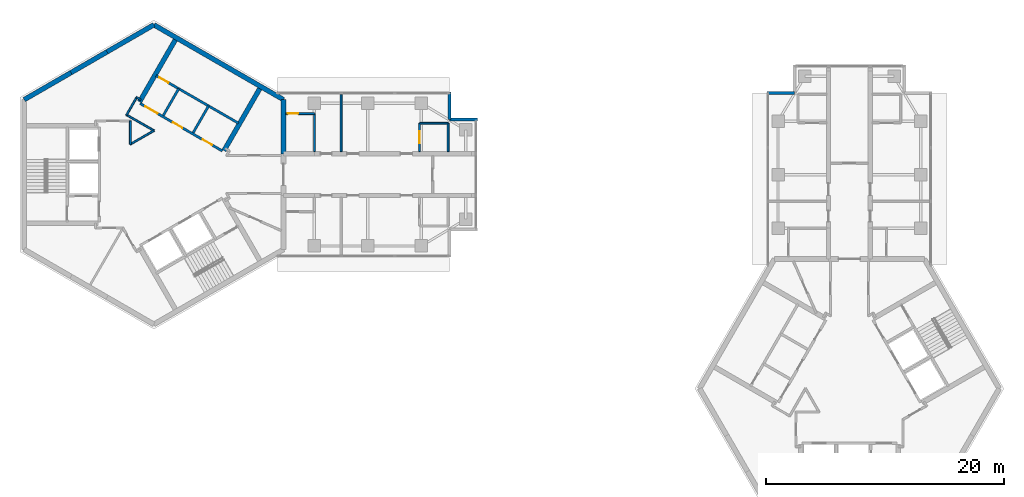
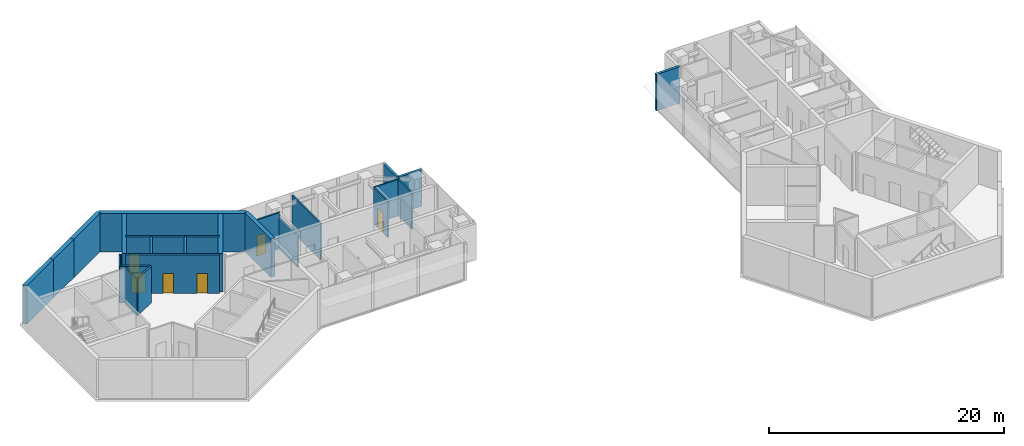
# One storey, part 7 of 11: 25 walls, 6 doors, 6 openings.
"""IFC4 building model written with IfcOpenShell, lengths in metres."""

from ifc_helpers import new_model, si_unit, direction, frame, frame_2d, origin, place, context, subcontext, project, spatial, rectangle, extrude, material, layer, layer_set, type_object, element, fill, save


model = new_model("IFC4")

# Units and contexts
model_context = context("Model", 3, precision=1e-05, world=origin(), true_north=direction((0.0, 1.0)))
body_context = subcontext(model_context, "Body", "Model", "MODEL_VIEW")
ifc_project = project(units=[si_unit("LENGTHUNIT", "METRE"), si_unit("AREAUNIT", "SQUARE_METRE"), si_unit("VOLUMEUNIT", "CUBIC_METRE"), si_unit("PLANEANGLEUNIT", "RADIAN"), si_unit("MASSUNIT", "GRAM", prefix="KILO")], contexts=[model_context])

# Site, building, storey
site_placement = place(None, origin())
site = spatial("IfcSite", under=ifc_project, at=site_placement, CompositionType="ELEMENT")
building_placement = place(site_placement, origin())
building = spatial("IfcBuilding", under=site, at=building_placement, Name="Upepo Twin Towers", CompositionType="ELEMENT")
storey_placement = place(building_placement, frame((0.0, 0.0, 251.5)))
storey = spatial("IfcBuildingStorey", under=building, at=storey_placement, Name="L61", CompositionType="ELEMENT", Elevation=251.5)

# Walls
ifc_material_1 = material(Name="Concrete C60/75", Category="concrete")
ifc_layer_1 = layer(ifc_material_1, 0.39990234375)
ifc_layer_set_1 = layer_set([ifc_layer_1], Name="Concrete C60/75")
wall_type_1 = type_object("IfcWallType", Name="Core wall 400 RC", PredefinedType="SHEAR", material=ifc_layer_set_1)
wall_1_placement = place(storey_placement, frame((10.908447265625, 1.75, 0.0), z_axis=(0.0, 0.0, 1.0), x_axis=(0.0, 1.0, 0.0)))
element("IfcWall", 1, at=wall_1_placement, inside=storey, type_object=wall_type_1, Name="T1 core wall 000 L", PredefinedType="SHEAR", context=body_context, shape_type="SweptSolid", body=[
    extrude(rectangle(XDim=4.5478515625, YDim=0.39990234375, at=frame_2d((2.27392578125, 0.0))), origin(), (0.0, 0.0, 1.0), 4.0),
])
wall_2_placement = place(storey_placement, frame((10.908447265625, 6.2978515625, 0.0), z_axis=(0.0, 0.0, 1.0), x_axis=(-0.866021940709, 0.500005998175, 0.0)))
element("IfcWall", 2, at=wall_2_placement, inside=storey, type_object=wall_type_1, Name="T1 core wall 060", PredefinedType="SHEAR", context=body_context, shape_type="SweptSolid", body=[
    extrude(rectangle(XDim=12.595947265625, YDim=0.39990234375, at=frame_2d((6.2978515625, 0.0))), origin(), (0.0, 0.0, 1.0), 4.0),
])
wall_3_placement = place(storey_placement, frame((0.0, 12.595947265625, 0.0), z_axis=(0.0, 0.0, 1.0), x_axis=(-0.866011268655, -0.500024481964, 0.0)))
element("IfcWall", 3, at=wall_3_placement, inside=storey, type_object=wall_type_1, Name="T1 core wall 120 R", PredefinedType="SHEAR", context=body_context, shape_type="SweptSolid", body=[
    extrude(rectangle(XDim=4.548095703125, YDim=0.39990234375, at=frame_2d((2.27392578125, 0.0))), origin(), (0.0, 0.0, 1.0), 4.0),
])
wall_4_placement = place(storey_placement, frame((-3.938720703125, 10.32177734375, 0.0), z_axis=(0.0, 0.0, 1.0), x_axis=(-0.866019471182, -0.500010275428, 0.0)))
element("IfcWall", 4, at=wall_4_placement, inside=storey, type_object=wall_type_1, Name="T1 core wall 120", PredefinedType="SHEAR", context=body_context, shape_type="SweptSolid", body=[
    extrude(rectangle(XDim=3.5, YDim=0.39990234375, at=frame_2d((1.75, 0.0))), origin(), (0.0, 0.0, 1.0), 4.0),
])
wall_5_placement = place(storey_placement, frame((-6.9697265625, 8.57177734375, 0.0), z_axis=(0.0, 0.0, 1.0), x_axis=(-0.866034513004, -0.499984222037, 0.0)))
element("IfcWall", 5, at=wall_5_placement, inside=storey, type_object=wall_type_1, Name="T1 core wall 120 L", PredefinedType="SHEAR", context=body_context, shape_type="SweptSolid", body=[
    extrude(rectangle(XDim=4.548095703125, YDim=0.39990234375, at=frame_2d((2.27392578125, 0.0))), origin(), (0.0, 0.0, 1.0), 4.0),
])
ifc_material_2 = material(Name="Blockwork with anodised aluminium cladding", Category="masonry")
ifc_layer_2 = layer(ifc_material_2, 0.25)
ifc_layer_set_2 = layer_set([ifc_layer_2], Name="Notch cladding wall 250, pale metal")
wall_type_2 = type_object("IfcWallType", Name="Notch cladding wall 250, pale metal", PredefinedType="STANDARD", material=ifc_layer_set_2)
for number, where, z_axis, x_axis, name in (
    (6, (24.875, 6.949951171875, 0.0), (0.0, 0.0, 1.0), (0.0, -1.0, 0.0), "T1 L61 wing A notch wall L1"),
    (7, (24.875, 4.625, 0.0), (0.0, 0.0, 1.0), (1.0, 0.0, 0.0), "T1 L61 wing A notch wall L2"),
    (8, (51.550048828125, 6.875, 0.0), (0.0, 0.0, 1.0), (1.0, 0.0, 0.0), "T2 L61 wing A notch wall L1"),
):
    element("IfcWall", number, at=place(storey_placement, frame(where, z_axis=z_axis, x_axis=x_axis)), inside=storey, type_object=wall_type_2, Name=name, PredefinedType="STANDARD", context=body_context, shape_type="SweptSolid", body=[
        extrude(rectangle(XDim=2.324951171875, YDim=0.25, at=frame_2d((1.16259765625, 0.0))), origin(), (0.0, 0.0, 1.0), 3.800048828125),
    ])

# Wall, openings, doors
ifc_material_3 = material(Name="Concrete C40/50", Category="concrete")
ifc_layer_3 = layer(ifc_material_3, 0.199951171875)
ifc_layer_set_3 = layer_set([ifc_layer_3], Name="Concrete C40/50")
wall_type_3 = type_object("IfcWallType", Name="Shaft wall 200 RC", PredefinedType="SHEAR", material=ifc_layer_set_3)
wall_6_placement = place(storey_placement, frame((5.76416015625, 1.983642578125, 0.0), z_axis=(0.0, 0.0, 1.0), x_axis=(-0.866026010844, 0.49999894854, 0.0)))
wall_6 = element("IfcWall", 9, at=wall_6_placement, inside=storey, type_object=wall_type_3, Name="T1 core W60 front wall", PredefinedType="SHEAR", context=body_context, shape_type="SweptSolid", body=[
    extrude(rectangle(XDim=8.0, YDim=0.199951171875, at=frame_2d((4.0, 0.0))), origin(), (0.0, 0.0, 1.0), 4.0),
])
opening_1_placement = place(wall_6_placement, frame((6.300048828125, 0.0, 0.0)))
opening_1 = element("IfcOpeningElement", 10, at=opening_1_placement, cuts=wall_6, Name="Opening D4", PredefinedType="OPENING", context=body_context, shape_type="SweptSolid", body=[
    extrude(rectangle(XDim=1.199951171875, YDim=2.10009765625, at=frame_2d((0.60009765625, 1.050048828125))), frame((0.0, 0.10986328125, 0.0), z_axis=(0.0, -1.0, 0.0), x_axis=(1.0, 0.0, 0.0)), (0.0, 0.0, 1.0), 0.219970703125),
])
opening_2_placement = place(wall_6_placement, frame((1.0, 0.0, 0.0)))
opening_2 = element("IfcOpeningElement", 11, at=opening_2_placement, cuts=wall_6, Name="Opening D9", PredefinedType="OPENING", context=body_context, shape_type="SweptSolid", body=[
    extrude(rectangle(XDim=0.89990234375, YDim=2.10009765625, at=frame_2d((0.449951171875, 1.050048828125))), frame((0.0, 0.10986328125, 0.0), z_axis=(0.0, -1.0, 0.0), x_axis=(1.0, 0.0, 0.0)), (0.0, 0.0, 1.0), 0.219970703125),
])
opening_3_placement = place(wall_6_placement, frame((3.89990234375, 0.0, 0.0)))
opening_3 = element("IfcOpeningElement", 12, at=opening_3_placement, cuts=wall_6, Name="Opening D9", PredefinedType="OPENING", context=body_context, shape_type="SweptSolid", body=[
    extrude(rectangle(XDim=0.89990234375, YDim=2.10009765625, at=frame_2d((0.449951171875, 1.050048828125))), frame((0.0, 0.10986328125, 0.0), z_axis=(0.0, -1.0, 0.0), x_axis=(1.0, 0.0, 0.0)), (0.0, 0.0, 1.0), 0.219970703125),
])
ifc_material_4 = material(Name="Timber doorset", Category="wood")
door_type_1 = type_object("IfcDoorType", Name="Lobby door 1200 FD60", OperationType="SINGLE_SWING_LEFT", PredefinedType="DOOR", material=ifc_material_4)
door_1_placement = place(opening_1_placement, origin())
door_1 = element("IfcDoor", 13, at=door_1_placement, inside=storey, type_object=door_type_1, Name="T1 L61 W60 lobby door", OperationType="SINGLE_SWING_RIGHT", OverallHeight=2.10009765625, OverallWidth=1.199951171875, PredefinedType="DOOR", context=body_context, shape_type="SweptSolid", body=[
    extrude(rectangle(XDim=1.199951171875, YDim=2.10009765625, at=frame_2d((0.60009765625, 1.050048828125))), frame((0.0, 0.02490234375, 0.0), z_axis=(0.0, -1.0, 0.0), x_axis=(1.0, 0.0, 0.0)), (0.0, 0.0, 1.0), 0.050048828125),
])
fill(opening_1, door_1)
ifc_material_5 = material(Name="Timber doorset", Category="wood")
door_type_2 = type_object("IfcDoorType", Name="Riser door 900 FD60", OperationType="SINGLE_SWING_LEFT", PredefinedType="DOOR", material=ifc_material_5)
door_2_placement = place(opening_2_placement, origin())
door_2 = element("IfcDoor", 14, at=door_2_placement, inside=storey, type_object=door_type_2, Name="T1 L61 it and communications room door", OperationType="SINGLE_SWING_LEFT", OverallHeight=2.10009765625, OverallWidth=0.89990234375, PredefinedType="DOOR", context=body_context, shape_type="SweptSolid", body=[
    extrude(rectangle(XDim=0.89990234375, YDim=2.10009765625, at=frame_2d((0.449951171875, 1.050048828125))), frame((0.0, 0.02490234375, 0.0), z_axis=(0.0, -1.0, 0.0), x_axis=(1.0, 0.0, 0.0)), (0.0, 0.0, 1.0), 0.050048828125),
])
fill(opening_2, door_2)
door_3_placement = place(opening_3_placement, origin())
door_3 = element("IfcDoor", 15, at=door_3_placement, inside=storey, type_object=door_type_2, Name="T1 L61 cleaner's store door", OperationType="SINGLE_SWING_RIGHT", OverallHeight=2.10009765625, OverallWidth=0.89990234375, PredefinedType="DOOR", context=body_context, shape_type="SweptSolid", body=[
    extrude(rectangle(XDim=0.89990234375, YDim=2.10009765625, at=frame_2d((0.449951171875, 1.050048828125))), frame((0.0, 0.02490234375, 0.0), z_axis=(0.0, -1.0, 0.0), x_axis=(1.0, 0.0, 0.0)), (0.0, 0.0, 1.0), 0.050048828125),
])
fill(opening_3, door_3)

# Walls
for number, where, z_axis, x_axis, name in (
    (16, (3.302734375, 3.520263671875, 0.0), (0.0, 0.0, 1.0), (0.499936506574, 0.866062058628, 0.0), "T1 core W60 shaft divider"),
    (17, (0.791259765625, 4.97021484375, 0.0), (0.0, 0.0, 1.0), (0.499936506574, 0.866062058628, 0.0), "T1 core W60 lobby wall"),
):
    element("IfcWall", number, at=place(storey_placement, frame(where, z_axis=z_axis, x_axis=x_axis)), inside=storey, type_object=wall_type_3, Name=name, PredefinedType="SHEAR", context=body_context, shape_type="SweptSolid", body=[
        extrude(rectangle(XDim=2.599853515625, YDim=0.199951171875, at=frame_2d((1.2998046875, 0.0))), origin(), (0.0, 0.0, 1.0), 4.0),
    ])

# Wall, opening, door
wall_7_placement = place(storey_placement, frame((7.114013671875, 4.322021484375, 0.0), z_axis=(0.0, 0.0, 1.0), x_axis=(-0.866026010844, 0.49999894854, 0.0)))
wall_7 = element("IfcWall", 18, at=wall_7_placement, inside=storey, type_object=wall_type_3, Name="T1 core W60 stair wall", PredefinedType="SHEAR", context=body_context, shape_type="SweptSolid", body=[
    extrude(rectangle(XDim=8.0, YDim=0.199951171875, at=frame_2d((4.0, 0.0))), origin(), (0.0, 0.0, 1.0), 4.0),
])
opening_4_placement = place(wall_7_placement, frame((6.800048828125, 0.0, 0.0)))
opening_4 = element("IfcOpeningElement", 19, at=opening_4_placement, cuts=wall_7, Name="Opening D9", PredefinedType="OPENING", context=body_context, shape_type="SweptSolid", body=[
    extrude(rectangle(XDim=0.89990234375, YDim=2.10009765625, at=frame_2d((0.449951171875, 1.050048828125))), frame((0.0, 0.10986328125, 0.0), z_axis=(0.0, -1.0, 0.0), x_axis=(1.0, 0.0, 0.0)), (0.0, 0.0, 1.0), 0.219970703125),
])
door_4_placement = place(opening_4_placement, origin())
door_4 = element("IfcDoor", 20, at=door_4_placement, inside=storey, type_object=door_type_2, Name="T1 L61 riser door", OperationType="SINGLE_SWING_RIGHT", OverallHeight=2.10009765625, OverallWidth=0.89990234375, PredefinedType="DOOR", context=body_context, shape_type="SweptSolid", body=[
    extrude(rectangle(XDim=0.89990234375, YDim=2.10009765625, at=frame_2d((0.449951171875, 1.050048828125))), frame((0.0, 0.02490234375, 0.0), z_axis=(0.0, -1.0, 0.0), x_axis=(1.0, 0.0, 0.0)), (0.0, 0.0, 1.0), 0.050048828125),
])
fill(opening_4, door_4)

# Walls
ifc_material_6 = material(Name="Concrete C40/50", Category="concrete")
ifc_layer_4 = layer(ifc_material_6, 0.39990234375)
ifc_layer_set_4 = layer_set([ifc_layer_4], Name="Concrete C40/50")
wall_type_4 = type_object("IfcWallType", Name="Shaft wall 400 RC", PredefinedType="SHEAR", material=ifc_layer_set_4)
for number, where, z_axis, x_axis, name in (
    (21, (-1.20068359375, 6.120361328125, 0.0), (0.0, 0.0, 1.0), (0.499997979876, 0.866026570101, 0.0), "T1 core W60 side wall N"),
    (22, (5.900634765625, 2.020263671875, 0.0), (0.0, 0.0, 1.0), (0.499997979876, 0.866026570101, 0.0), "T1 core W60 side wall S"),
):
    element("IfcWall", number, at=place(storey_placement, frame(where, z_axis=z_axis, x_axis=x_axis)), inside=storey, type_object=wall_type_4, Name=name, PredefinedType="SHEAR", context=body_context, shape_type="SweptSolid", body=[
        extrude(rectangle(XDim=6.00830078125, YDim=0.39990234375, at=frame_2d((3.004150390625, 0.0))), origin(), (0.0, 0.0, 1.0), 4.0),
    ])
ifc_material_7 = material(Name="Gypsum board on steel studs", Category="steel")
ifc_layer_5 = layer(ifc_material_7, 0.14990234375)
ifc_layer_set_5 = layer_set([ifc_layer_5], Name="Teaching partition 150 acoustic")
wall_type_5 = type_object("IfcWallType", Name="Teaching partition 150 acoustic", PredefinedType="PARTITIONING", material=ifc_layer_set_5)
wall_8_placement = place(storey_placement, frame((15.75, 1.925048828125, 0.0), z_axis=(0.0, 0.0, 1.0), x_axis=(0.0, 1.0, 0.0)))
element("IfcWall", 23, at=wall_8_placement, inside=storey, type_object=wall_type_5, Name="T1 partition AL at 15.75", PredefinedType="PARTITIONING", context=body_context, shape_type="SweptSolid", body=[
    extrude(rectangle(XDim=4.824951171875, YDim=0.14990234375, at=frame_2d((2.41259765625, 0.0))), origin(), (0.0, 0.0, 1.0), 3.800048828125),
])
wall_9_placement = place(storey_placement, frame((22.35009765625, 4.324951171875, 0.0), z_axis=(0.0, 0.0, 1.0), x_axis=(1.0, 0.0, 0.0)))
element("IfcWall", 24, at=wall_9_placement, inside=storey, type_object=wall_type_5, Name="T1 inner room partition AL at 22.35", PredefinedType="PARTITIONING", context=body_context, shape_type="SweptSolid", body=[
    extrude(rectangle(XDim=2.39990234375, YDim=0.14990234375, at=frame_2d((1.199951171875, 0.0))), origin(), (0.0, 0.0, 1.0), 3.800048828125),
])

# Wall, opening, door
wall_10_placement = place(storey_placement, frame((22.35009765625, 1.925048828125, 0.0), z_axis=(0.0, 0.0, 1.0), x_axis=(0.0, 1.0, 0.0)))
wall_10 = element("IfcWall", 25, at=wall_10_placement, inside=storey, type_object=wall_type_5, Name="T1 inner room partition AL end at 22.35", PredefinedType="PARTITIONING", context=body_context, shape_type="SweptSolid", body=[
    extrude(rectangle(XDim=2.39990234375, YDim=0.14990234375, at=frame_2d((1.199951171875, 0.0))), origin(), (0.0, 0.0, 1.0), 3.800048828125),
])
opening_5_placement = place(wall_10_placement, frame((0.699951171875, 0.0, 0.0)))
opening_5 = element("IfcOpeningElement", 26, at=opening_5_placement, cuts=wall_10, Name="Opening D1", PredefinedType="OPENING", context=body_context, shape_type="SweptSolid", body=[
    extrude(rectangle(XDim=1.0, YDim=2.10009765625, at=frame_2d((0.5, 1.050048828125))), frame((0.0, 0.0849609375, 0.0), z_axis=(0.0, -1.0, 0.0), x_axis=(1.0, 0.0, 0.0)), (0.0, 0.0, 1.0), 0.169921875),
])
ifc_material_8 = material(Name="Timber doorset", Category="wood")
door_type_3 = type_object("IfcDoorType", Name="Room door 1000 FD30", OperationType="SINGLE_SWING_LEFT", PredefinedType="DOOR", material=ifc_material_8)
door_5_placement = place(opening_5_placement, origin())
door_5 = element("IfcDoor", 27, at=door_5_placement, inside=storey, type_object=door_type_3, Name="T1 L61 inner room door", OperationType="SINGLE_SWING_LEFT", OverallHeight=2.10009765625, OverallWidth=1.0, PredefinedType="DOOR", context=body_context, shape_type="SweptSolid", body=[
    extrude(rectangle(XDim=1.0, YDim=2.10009765625, at=frame_2d((0.5, 1.050048828125))), frame((0.0, 0.02490234375, 0.0), z_axis=(0.0, -1.0, 0.0), x_axis=(1.0, 0.0, 0.0)), (0.0, 0.0, 1.0), 0.050048828125),
])
fill(opening_5, door_5)

# Wall
wall_11_placement = place(storey_placement, frame((24.75, 1.925048828125, 0.0), z_axis=(0.0, 0.0, 1.0), x_axis=(0.0, 1.0, 0.0)))
element("IfcWall", 28, at=wall_11_placement, inside=storey, type_object=wall_type_5, Name="T1 inner room partition AL end at 24.75", PredefinedType="PARTITIONING", context=body_context, shape_type="SweptSolid", body=[
    extrude(rectangle(XDim=2.39990234375, YDim=0.14990234375, at=frame_2d((1.199951171875, 0.0))), origin(), (0.0, 0.0, 1.0), 3.800048828125),
])

# Wall, opening, door
wall_12_placement = place(storey_placement, frame((11.10791015625, 5.125, 0.0), z_axis=(0.0, 0.0, 1.0), x_axis=(1.0, 0.0, 0.0)))
wall_12 = element("IfcWall", 29, at=wall_12_placement, inside=storey, type_object=wall_type_5, Name="T1 WC bay partition AL at 11.11", PredefinedType="PARTITIONING", context=body_context, shape_type="SweptSolid", body=[
    extrude(rectangle(XDim=2.400146484375, YDim=0.14990234375, at=frame_2d((1.2001953125, 0.0))), origin(), (0.0, 0.0, 1.0), 3.800048828125),
])
opening_6_placement = place(wall_12_placement, frame((0.14990234375, 0.0, 0.0)))
opening_6 = element("IfcOpeningElement", 30, at=opening_6_placement, cuts=wall_12, Name="Opening D14", PredefinedType="OPENING", context=body_context, shape_type="SweptSolid", body=[
    extrude(rectangle(XDim=0.89990234375, YDim=2.10009765625, at=frame_2d((0.449951171875, 1.050048828125))), frame((0.0, 0.0849609375, 0.0), z_axis=(0.0, -1.0, 0.0), x_axis=(1.0, 0.0, 0.0)), (0.0, 0.0, 1.0), 0.169921875),
])
ifc_material_9 = material(Name="Timber doorset", Category="wood")
door_type_4 = type_object("IfcDoorType", Name="Office door 900 FD30", OperationType="SINGLE_SWING_LEFT", PredefinedType="DOOR", material=ifc_material_9)
door_6_placement = place(opening_6_placement, origin())
door_6 = element("IfcDoor", 31, at=door_6_placement, inside=storey, type_object=door_type_4, Name="T1 L61 WC bay inner room door", OperationType="SINGLE_SWING_LEFT", OverallHeight=2.10009765625, OverallWidth=0.89990234375, PredefinedType="DOOR", context=body_context, shape_type="SweptSolid", body=[
    extrude(rectangle(XDim=0.89990234375, YDim=2.10009765625, at=frame_2d((0.449951171875, 1.050048828125))), frame((0.0, 0.02490234375, 0.0), z_axis=(0.0, -1.0, 0.0), x_axis=(1.0, 0.0, 0.0)), (0.0, 0.0, 1.0), 0.050048828125),
])
fill(opening_6, door_6)

# Walls
wall_13_placement = place(storey_placement, frame((13.508056640625, 1.925048828125, 0.0), z_axis=(0.0, 0.0, 1.0), x_axis=(0.0, 1.0, 0.0)))
element("IfcWall", 32, at=wall_13_placement, inside=storey, type_object=wall_type_5, Name="T1 WC bay partition AL end at 13.51", PredefinedType="PARTITIONING", context=body_context, shape_type="SweptSolid", body=[
    extrude(rectangle(XDim=3.199951171875, YDim=0.14990234375, at=frame_2d((1.60009765625, 0.0))), origin(), (0.0, 0.0, 1.0), 3.266845703125),
])
wall_14_placement = place(storey_placement, frame((-1.97509765625, 4.52001953125, 0.0), z_axis=(0.0, 0.0, 1.0), x_axis=(0.0, -1.0, 0.0)))
element("IfcWall", 33, at=wall_14_placement, inside=storey, type_object=wall_type_5, Name="T1 core room partition 8", PredefinedType="PARTITIONING", context=body_context, shape_type="SweptSolid", body=[
    extrude(rectangle(XDim=1.985107421875, YDim=0.14990234375, at=frame_2d((0.99267578125, 0.0))), origin(), (0.0, 0.0, 1.0), 3.800048828125),
])
wall_15_placement = place(storey_placement, frame((-1.992431640625, 2.544921875, 0.0), z_axis=(0.0, 0.0, 1.0), x_axis=(0.866059450854, 0.499941024108, 0.0)))
element("IfcWall", 34, at=wall_15_placement, inside=storey, type_object=wall_type_5, Name="T1 core room partition 9", PredefinedType="PARTITIONING", context=body_context, shape_type="SweptSolid", body=[
    extrude(rectangle(XDim=2.320556640625, YDim=0.14990234375, at=frame_2d((1.16015625, 0.0))), origin(), (0.0, 0.0, 1.0), 3.800048828125),
])
wall_16_placement = place(storey_placement, frame((0.017333984375, 3.68505859375, 0.0), z_axis=(0.0, 0.0, 1.0), x_axis=(-0.866036099759, 0.499981473571, 0.0)))
element("IfcWall", 35, at=wall_16_placement, inside=storey, type_object=wall_type_5, Name="T1 core room partition 10", PredefinedType="PARTITIONING", context=body_context, shape_type="SweptSolid", body=[
    extrude(rectangle(XDim=2.6923828125, YDim=0.14990234375, at=frame_2d((1.34619140625, 0.0))), origin(), (0.0, 0.0, 1.0), 3.800048828125),
])
wall_17_placement = place(storey_placement, frame((-2.30712890625, 5.00390625, 0.0), z_axis=(0.0, 0.0, 1.0), x_axis=(0.500062521093, 0.865989304205, 0.0)))
element("IfcWall", 36, at=wall_17_placement, inside=storey, type_object=wall_type_5, Name="T1 core room partition 11", PredefinedType="PARTITIONING", context=body_context, shape_type="SweptSolid", body=[
    extrude(rectangle(XDim=1.739990234375, YDim=0.14990234375, at=frame_2d((0.8701171875, 0.0))), origin(), (0.0, 0.0, 1.0), 3.800048828125),
])
wall_18_placement = place(storey_placement, frame((-1.46435546875, 6.50341796875, 0.0), z_axis=(0.0, 0.0, 1.0), x_axis=(0.866138304741, -0.499804398801, 0.0)))
element("IfcWall", 37, at=wall_18_placement, inside=storey, type_object=wall_type_5, Name="T1 core room partition 12", PredefinedType="PARTITIONING", context=body_context, shape_type="SweptSolid", body=[
    extrude(rectangle(XDim=0.429931640625, YDim=0.14990234375, at=frame_2d((0.21484375, 0.0))), origin(), (0.0, 0.0, 1.0), 3.800048828125),
])

save(model, "model.ifc")
